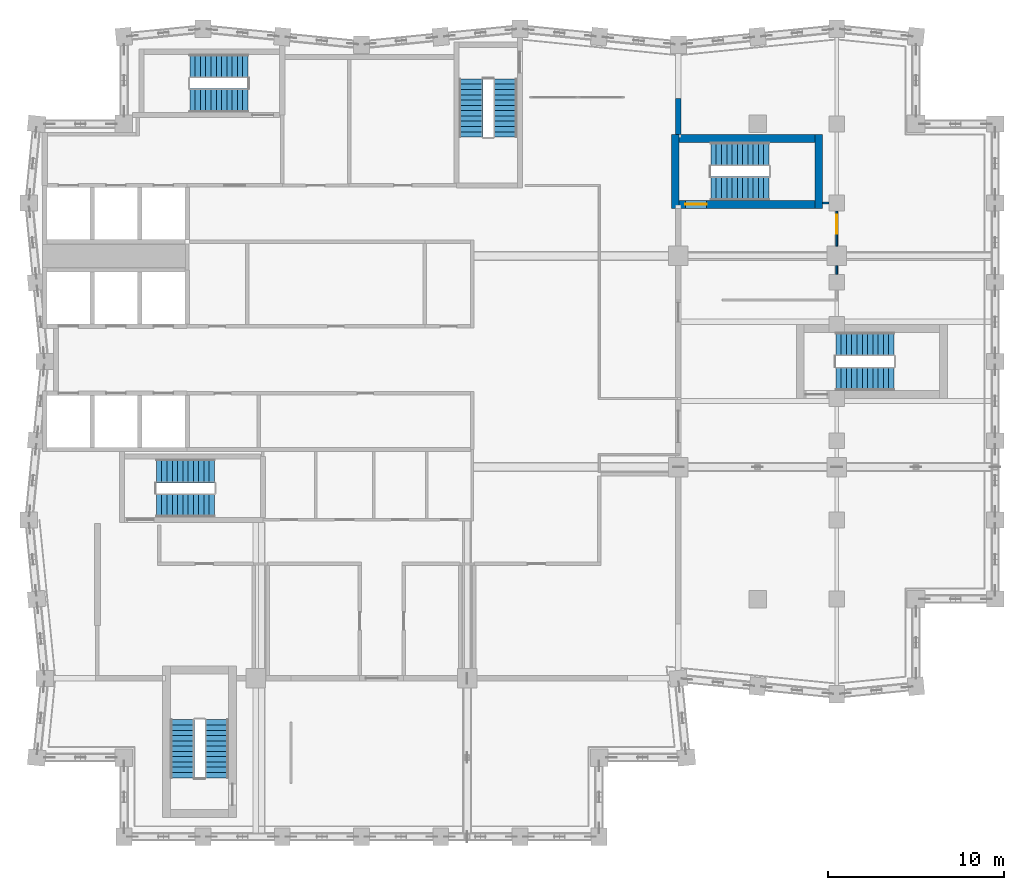
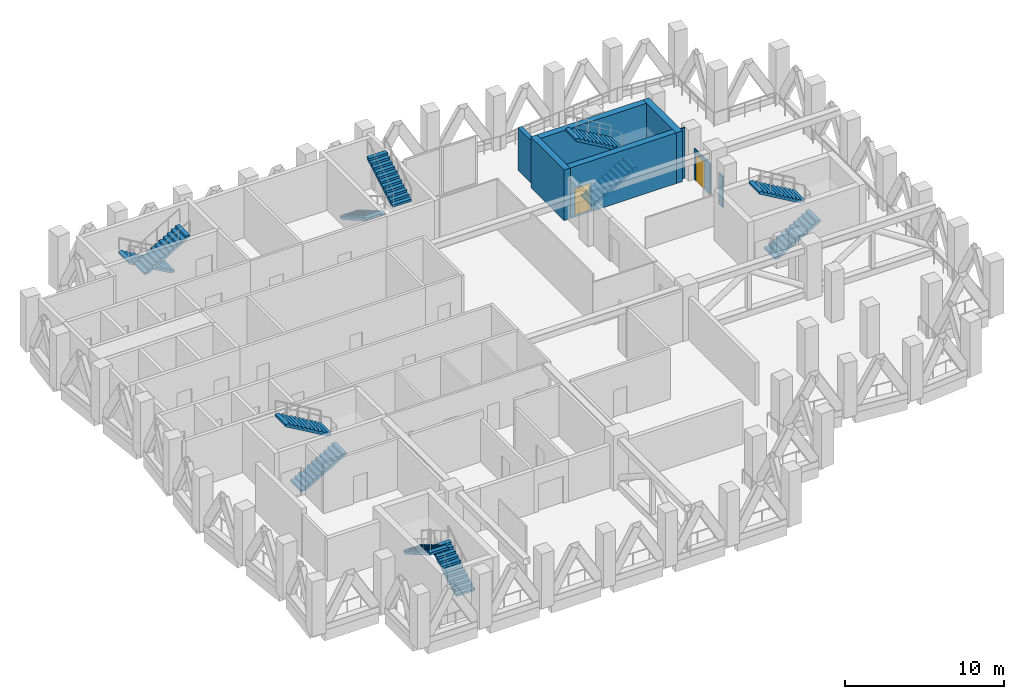
# One storey, part 11 of 18: 12 stair flights, 8 walls, 2 doors, 2 openings, 6 elements without a shape of their own.
"""IFC4 building model written with IfcOpenShell, lengths in metres."""

from ifc_helpers import new_model, si_unit, direction, frame, frame_2d, origin, place, context, subcontext, project, spatial, polyline, rectangle, outline, extrude, material, layer, layer_set, type_object, element, fill, aggregate, save


model = new_model("IFC4")

# Units and contexts
model_context = context("Model", 3, precision=1e-05, world=origin(), true_north=direction((0.0, 1.0)))
body_context = subcontext(model_context, "Body", "Model", "MODEL_VIEW")
ifc_project = project(units=[si_unit("LENGTHUNIT", "METRE"), si_unit("AREAUNIT", "SQUARE_METRE"), si_unit("VOLUMEUNIT", "CUBIC_METRE"), si_unit("PLANEANGLEUNIT", "RADIAN"), si_unit("MASSUNIT", "GRAM", prefix="KILO")], contexts=[model_context])

# Site, building, storey
site_placement = place(None, origin())
site = spatial("IfcSite", under=ifc_project, at=site_placement, CompositionType="ELEMENT")
building_placement = place(site_placement, origin())
building = spatial("IfcBuilding", under=site, at=building_placement, Name="Brondeck Convention Tower", CompositionType="ELEMENT")
storey_placement = place(building_placement, frame((0.0, 0.0, 248.199951171875)))
storey = spatial("IfcBuildingStorey", under=building, at=storey_placement, Name="L61", CompositionType="ELEMENT", Elevation=248.199951171875)

# Walls
ifc_material_1 = material(Name="Concrete compartment wall C30/37", Category="concrete")
ifc_layer_1 = layer(ifc_material_1, 0.300048828125)
ifc_layer_set_1 = layer_set([ifc_layer_1], Name="Compartment wall 300")
wall_type_1 = type_object("IfcWallType", Name="Compartment wall 300", PredefinedType="PARTITIONING", material=ifc_layer_set_1)
wall_1_placement = place(storey_placement, frame((36.0, 59.949951171875, 0.0), z_axis=(0.0, 0.0, 1.0), x_axis=(0.0, -1.0, 0.0)))
element("IfcWall", 1, at=wall_1_placement, inside=storey, type_object=wall_type_1, Name="FLR-L61-W043", PredefinedType="PARTITIONING", context=body_context, shape_type="SweptSolid", body=[
    extrude(rectangle(XDim=2.050048828125, YDim=0.300048828125, at=frame_2d((1.02490234375, 0.0))), origin(), (0.0, 0.0, 1.0), 3.280029296875),
])
ifc_material_2 = material(Name="Gypsum board partition on steel studs", Category="steel")
ifc_layer_2 = layer(ifc_material_2, 0.10009765625)
ifc_layer_set_2 = layer_set([ifc_layer_2], Name="Room partition 100")
wall_type_2 = type_object("IfcWallType", Name="Room partition 100", PredefinedType="PARTITIONING", material=ifc_layer_set_2)
wall_2_placement = place(storey_placement, frame((45.0, 50.445068359375, 0.0), z_axis=(0.0, 0.0, 1.0), x_axis=(0.0, -1.0, 0.0)))
element("IfcWall", 2, at=wall_2_placement, inside=storey, type_object=wall_type_2, Name="FLR-L61-W037", PredefinedType="PARTITIONING", context=body_context, shape_type="SweptSolid", body=[
    extrude(rectangle(XDim=0.489990234375, YDim=0.10009765625, at=frame_2d((0.2451171875, 0.0))), origin(), (0.0, 0.0, 1.0), 2.380126953125),
])

# Wall, opening, door
wall_3_placement = place(storey_placement, frame((45.0, 53.544921875, 0.0), z_axis=(0.0, 0.0, 1.0), x_axis=(0.0, -1.0, 0.0)))
wall_3 = element("IfcWall", 3, at=wall_3_placement, inside=storey, type_object=wall_type_2, Name="FLR-L61-W039", PredefinedType="PARTITIONING", context=body_context, shape_type="SweptSolid", body=[
    extrude(rectangle(XDim=1.989990234375, YDim=0.10009765625, at=frame_2d((0.9951171875, 0.0))), origin(), (0.0, 0.0, 1.0), 2.380126953125),
])
opening_1_placement = place(wall_3_placement, frame((0.195068359375, 0.0, 0.0)))
opening_1 = element("IfcOpeningElement", 4, at=opening_1_placement, cuts=wall_3, Name="Opening BD-4-001", PredefinedType="OPENING", context=body_context, shape_type="SweptSolid", body=[
    extrude(rectangle(XDim=1.10009765625, YDim=2.10009765625, at=frame_2d((0.550048828125, 1.050048828125))), frame((0.0, 0.06005859375, 0.0), z_axis=(0.0, -1.0, 0.0), x_axis=(1.0, 0.0, 0.0)), (0.0, 0.0, 1.0), 0.1201171875),
])
ifc_material_3 = material(Name="Steel fire door leaf", Category="steel")
door_type_1 = type_object("IfcDoorType", Name="Refuge door 1100", OperationType="NOTDEFINED", PredefinedType="DOOR", material=ifc_material_3)
door_1_placement = place(opening_1_placement, origin())
door_1 = element("IfcDoor", 5, at=door_1_placement, inside=storey, type_object=door_type_1, Name="Door BD-4-001", OperationType="SINGLE_SWING_LEFT", OverallHeight=2.10009765625, OverallWidth=1.10009765625, PredefinedType="DOOR", context=body_context, shape_type="SweptSolid", body=[
    extrude(rectangle(XDim=1.10009765625, YDim=2.10009765625, at=frame_2d((0.550048828125, 1.050048828125))), frame((0.0, 0.02490234375, 0.0), z_axis=(0.0, -1.0, 0.0), x_axis=(1.0, 0.0, 0.0)), (0.0, 0.0, 1.0), 0.050048828125),
])
fill(opening_1, door_1)

# Wall
wall_4_placement = place(storey_placement, frame((44.199951171875, 54.0, 0.0), z_axis=(0.0, 0.0, 1.0), x_axis=(1.0, 0.0, 0.0)))
element("IfcWall", 6, at=wall_4_placement, inside=storey, type_object=wall_type_2, Name="FLR-L61-W040", PredefinedType="PARTITIONING", context=body_context, shape_type="SweptSolid", body=[
    extrude(rectangle(XDim=0.344970703125, YDim=0.10009765625, at=frame_2d((0.17236328125, 0.0))), origin(), (0.0, 0.0, 1.0), 3.880126953125),
])

# Wall, opening, door
ifc_material_4 = material(Name="Concrete C50/60", Category="concrete")
ifc_layer_3 = layer(ifc_material_4, 0.449951171875)
ifc_layer_set_3 = layer_set([ifc_layer_3], Name="Stair enclosure bearing wall 450 Concrete C50/60")
wall_type_3 = type_object("IfcWallType", Name="Stair enclosure bearing wall 450 Concrete C50/60", PredefinedType="SHEAR", material=ifc_layer_set_3)
wall_5_placement = place(storey_placement, frame((36.050048828125, 53.925048828125, 0.0), z_axis=(0.0, 0.0, 1.0), x_axis=(1.0, 0.0, 0.0)))
wall_5 = element("IfcWall", 7, at=wall_5_placement, inside=storey, type_object=wall_type_3, Name="L61 core wall", PredefinedType="SHEAR", context=body_context, shape_type="SweptSolid", body=[
    extrude(rectangle(XDim=7.699951171875, YDim=0.449951171875, at=frame_2d((3.85009765625, 0.0))), origin(), (0.0, 0.0, 1.0), 3.900146484375),
])
opening_2_placement = place(wall_5_placement, frame((0.35009765625, 0.0, 0.0)))
opening_2 = element("IfcOpeningElement", 8, at=opening_2_placement, cuts=wall_5, Name="Opening C33-16", PredefinedType="OPENING", context=body_context, shape_type="SweptSolid", body=[
    extrude(rectangle(XDim=1.199951171875, YDim=2.199951171875, at=frame_2d((0.60009765625, 1.10009765625))), frame((0.0, 0.23486328125, 0.0), z_axis=(0.0, -1.0, 0.0), x_axis=(1.0, 0.0, 0.0)), (0.0, 0.0, 1.0), 0.469970703125),
])
ifc_material_5 = material(Name="Steel fire door", Category="steel")
door_type_2 = type_object("IfcDoorType", Name="Stair door 1200x2200 EI 90", OperationType="NOTDEFINED", PredefinedType="DOOR", material=ifc_material_5)
door_2_placement = place(opening_2_placement, origin())
door_2 = element("IfcDoor", 9, at=door_2_placement, inside=storey, type_object=door_type_2, Name="L61 Stair door ST-AE", OperationType="SINGLE_SWING_LEFT", OverallHeight=2.199951171875, OverallWidth=1.199951171875, PredefinedType="DOOR", context=body_context, shape_type="SweptSolid", body=[
    extrude(rectangle(XDim=1.199951171875, YDim=2.199951171875, at=frame_2d((0.60009765625, 1.10009765625))), frame((0.0, 0.02490234375, 0.0), z_axis=(0.0, -1.0, 0.0), x_axis=(1.0, 0.0, 0.0)), (0.0, 0.0, 1.0), 0.050048828125),
])
fill(opening_2, door_2)

# Walls
wall_6_placement = place(storey_placement, frame((36.050048828125, 57.675048828125, 0.0), z_axis=(0.0, 0.0, 1.0), x_axis=(1.0, 0.0, 0.0)))
element("IfcWall", 10, at=wall_6_placement, inside=storey, type_object=wall_type_3, Name="L61 core wall", PredefinedType="SHEAR", context=body_context, shape_type="SweptSolid", body=[
    extrude(rectangle(XDim=7.699951171875, YDim=0.449951171875, at=frame_2d((3.85009765625, 0.0))), origin(), (0.0, 0.0, 1.0), 3.900146484375),
])
for number, where, z_axis, x_axis, name in (
    (11, (35.824951171875, 53.699951171875, 0.0), (0.0, 0.0, 1.0), (0.0, 1.0, 0.0), "L61 core wall"),
    (12, (43.97509765625, 53.699951171875, 0.0), (0.0, 0.0, 1.0), (0.0, 1.0, 0.0), "L61 core wall"),
):
    element("IfcWall", number, at=place(storey_placement, frame(where, z_axis=z_axis, x_axis=x_axis)), inside=storey, type_object=wall_type_3, Name=name, PredefinedType="SHEAR", context=body_context, shape_type="SweptSolid", body=[
        extrude(rectangle(XDim=4.199951171875, YDim=0.449951171875, at=frame_2d((2.10009765625, 0.0))), origin(), (0.0, 0.0, 1.0), 3.900146484375),
    ])

# Stair, stair flights
ifc_material_6 = material(Name="Precast concrete C50/60", Category="concrete")
stair_type = type_object("IfcStairType", Name="Core stair 24 risers 175.00 mm riser 300 mm going 1350 wide", PredefinedType="HALF_TURN_STAIR", material=ifc_material_6)
stair_1_placement = place(storey_placement, origin())
stair_1 = element("IfcStair", 13, at=stair_1_placement, inside=storey, type_object=stair_type, Name="ST-1 L61 stair", PredefinedType="HALF_TURN_STAIR")
stair_flight_type = type_object("IfcStairFlightType", Name="Core stair flight 24 risers 175.00 mm riser 300 mm going 1350 wide", PredefinedType="STRAIGHT", material=ifc_material_6)
stair_flight_1_placement = place(storey_placement, frame((6.35009765625, 36.824951171875, 0.0), z_axis=(0.0, 0.0, 1.0), x_axis=(1.0, 0.0, 0.0)))
stair_flight_1 = element("IfcStairFlight", 14, at=stair_flight_1_placement, type_object=stair_flight_type, Name="ST-1 flight 1", NumberOfRisers=12, NumberOfTreads=11, PredefinedType="STRAIGHT", RiserHeight=0.175, TreadLength=0.3, context=body_context, shape_type="SweptSolid", body=[
    extrude(outline(polyline([(0.0, 0.0), (0.0, 0.175048828125), (0.300048828125, 0.175048828125), (0.300048828125, 0.35009765625), (0.60009765625, 0.35009765625), (0.60009765625, 0.52490234375), (0.89990234375, 0.52490234375), (0.89990234375, 0.699951171875), (1.199951171875, 0.699951171875), (1.199951171875, 0.875), (1.5, 0.875), (1.5, 1.050048828125), (1.800048828125, 1.050048828125), (1.800048828125, 1.22509765625), (2.10009765625, 1.22509765625), (2.10009765625, 1.39990234375), (2.39990234375, 1.39990234375), (2.39990234375, 1.574951171875), (2.699951171875, 1.574951171875), (2.699951171875, 1.75), (3.0, 1.75), (3.0, 1.925048828125), (3.300048828125, 1.925048828125), (3.300048828125, 2.10009765625), (3.300048828125, 1.75146484375), (0.297607421875, 0.0), (0.0, 0.0)])), frame((0.0, 0.675048828125, 0.0), z_axis=(0.0, -1.0, 0.0), x_axis=(1.0, 0.0, 0.0)), (0.0, 0.0, 1.0), 1.35009765625),
])
stair_flight_2_placement = place(storey_placement, frame((9.64990234375, 38.77490234375, 2.10009765625), z_axis=(0.0, 0.0, 1.0), x_axis=(-1.0, 0.0, 0.0)))
stair_flight_2 = element("IfcStairFlight", 15, at=stair_flight_2_placement, type_object=stair_flight_type, Name="ST-1 flight 2", NumberOfRisers=12, NumberOfTreads=11, PredefinedType="STRAIGHT", RiserHeight=0.175, TreadLength=0.3, context=body_context, shape_type="SweptSolid", body=[
    extrude(outline(polyline([(0.0, 0.0), (0.0, 0.175048828125), (0.300048828125, 0.175048828125), (0.300048828125, 0.35009765625), (0.60009765625, 0.35009765625), (0.60009765625, 0.52490234375), (0.89990234375, 0.52490234375), (0.89990234375, 0.699951171875), (1.199951171875, 0.699951171875), (1.199951171875, 0.875), (1.5, 0.875), (1.5, 1.050048828125), (1.800048828125, 1.050048828125), (1.800048828125, 1.22509765625), (2.10009765625, 1.22509765625), (2.10009765625, 1.39990234375), (2.39990234375, 1.39990234375), (2.39990234375, 1.574951171875), (2.699951171875, 1.574951171875), (2.699951171875, 1.75), (3.0, 1.75), (3.0, 1.925048828125), (3.300048828125, 1.925048828125), (3.300048828125, 2.10009765625), (3.300048828125, 1.75146484375), (0.297607421875, 0.0), (0.0, 0.0)])), frame((0.0, 0.675048828125, 0.0), z_axis=(0.0, -1.0, 0.0), x_axis=(1.0, 0.0, 0.0)), (0.0, 0.0, 1.0), 1.35009765625),
])
aggregate(stair_1, [stair_flight_1, stair_flight_2])

stair_2_placement = place(storey_placement, origin())
stair_2 = element("IfcStair", 16, at=stair_2_placement, inside=storey, type_object=stair_type, Name="ST-2 L61 stair", PredefinedType="HALF_TURN_STAIR")
stair_flight_3_placement = place(storey_placement, frame((24.22509765625, 61.050048828125, 0.0), z_axis=(0.0, 0.0, 1.0), x_axis=(0.0, -1.0, 0.0)))
stair_flight_3 = element("IfcStairFlight", 17, at=stair_flight_3_placement, type_object=stair_flight_type, Name="ST-2 flight 1", NumberOfRisers=12, NumberOfTreads=11, PredefinedType="STRAIGHT", RiserHeight=0.175, TreadLength=0.3, context=body_context, shape_type="SweptSolid", body=[
    extrude(outline(polyline([(0.0, 0.0), (0.0, 0.175048828125), (0.300048828125, 0.175048828125), (0.300048828125, 0.35009765625), (0.60009765625, 0.35009765625), (0.60009765625, 0.52490234375), (0.89990234375, 0.52490234375), (0.89990234375, 0.699951171875), (1.199951171875, 0.699951171875), (1.199951171875, 0.875), (1.5, 0.875), (1.5, 1.050048828125), (1.800048828125, 1.050048828125), (1.800048828125, 1.22509765625), (2.10009765625, 1.22509765625), (2.10009765625, 1.39990234375), (2.39990234375, 1.39990234375), (2.39990234375, 1.574951171875), (2.699951171875, 1.574951171875), (2.699951171875, 1.75), (3.0, 1.75), (3.0, 1.925048828125), (3.300048828125, 1.925048828125), (3.300048828125, 2.10009765625), (3.300048828125, 1.75146484375), (0.297607421875, 0.0), (0.0, 0.0)])), frame((0.0, 0.675048828125, 0.0), z_axis=(0.0, -1.0, 0.0), x_axis=(1.0, 0.0, 0.0)), (0.0, 0.0, 1.0), 1.35009765625),
])
stair_flight_4_placement = place(storey_placement, frame((26.175048828125, 57.75, 2.10009765625), z_axis=(0.0, 0.0, 1.0), x_axis=(0.0, 1.0, 0.0)))
stair_flight_4 = element("IfcStairFlight", 18, at=stair_flight_4_placement, type_object=stair_flight_type, Name="ST-2 flight 2", NumberOfRisers=12, NumberOfTreads=11, PredefinedType="STRAIGHT", RiserHeight=0.175, TreadLength=0.3, context=body_context, shape_type="SweptSolid", body=[
    extrude(outline(polyline([(0.0, 0.0), (0.0, 0.175048828125), (0.300048828125, 0.175048828125), (0.300048828125, 0.35009765625), (0.60009765625, 0.35009765625), (0.60009765625, 0.52490234375), (0.89990234375, 0.52490234375), (0.89990234375, 0.699951171875), (1.199951171875, 0.699951171875), (1.199951171875, 0.875), (1.5, 0.875), (1.5, 1.050048828125), (1.800048828125, 1.050048828125), (1.800048828125, 1.22509765625), (2.10009765625, 1.22509765625), (2.10009765625, 1.39990234375), (2.39990234375, 1.39990234375), (2.39990234375, 1.574951171875), (2.699951171875, 1.574951171875), (2.699951171875, 1.75), (3.0, 1.75), (3.0, 1.925048828125), (3.300048828125, 1.925048828125), (3.300048828125, 2.10009765625), (3.300048828125, 1.75146484375), (0.297607421875, 0.0), (0.0, 0.0)])), frame((0.0, 0.675048828125, 0.0), z_axis=(0.0, -1.0, 0.0), x_axis=(1.0, 0.0, 0.0)), (0.0, 0.0, 1.0), 1.35009765625),
])
aggregate(stair_2, [stair_flight_3, stair_flight_4])

stair_3_placement = place(storey_placement, origin())
stair_3 = element("IfcStair", 19, at=stair_3_placement, inside=storey, type_object=stair_type, Name="ST-3 L61 stair", PredefinedType="HALF_TURN_STAIR")
stair_flight_5_placement = place(storey_placement, frame((11.550048828125, 61.77490234375, 0.0), z_axis=(0.0, 0.0, 1.0), x_axis=(-1.0, 0.0, 0.0)))
stair_flight_5 = element("IfcStairFlight", 20, at=stair_flight_5_placement, type_object=stair_flight_type, Name="ST-3 flight 1", NumberOfRisers=12, NumberOfTreads=11, PredefinedType="STRAIGHT", RiserHeight=0.175, TreadLength=0.3, context=body_context, shape_type="SweptSolid", body=[
    extrude(outline(polyline([(0.0, 0.0), (0.0, 0.175048828125), (0.300048828125, 0.175048828125), (0.300048828125, 0.35009765625), (0.60009765625, 0.35009765625), (0.60009765625, 0.52490234375), (0.89990234375, 0.52490234375), (0.89990234375, 0.699951171875), (1.199951171875, 0.699951171875), (1.199951171875, 0.875), (1.5, 0.875), (1.5, 1.050048828125), (1.800048828125, 1.050048828125), (1.800048828125, 1.22509765625), (2.10009765625, 1.22509765625), (2.10009765625, 1.39990234375), (2.39990234375, 1.39990234375), (2.39990234375, 1.574951171875), (2.699951171875, 1.574951171875), (2.699951171875, 1.75), (3.0, 1.75), (3.0, 1.925048828125), (3.300048828125, 1.925048828125), (3.300048828125, 2.10009765625), (3.300048828125, 1.75146484375), (0.297607421875, 0.0), (0.0, 0.0)])), frame((0.0, 0.675048828125, 0.0), z_axis=(0.0, -1.0, 0.0), x_axis=(1.0, 0.0, 0.0)), (0.0, 0.0, 1.0), 1.35009765625),
])
stair_flight_6_placement = place(storey_placement, frame((8.25, 59.824951171875, 2.10009765625), z_axis=(0.0, 0.0, 1.0), x_axis=(1.0, 0.0, 0.0)))
stair_flight_6 = element("IfcStairFlight", 21, at=stair_flight_6_placement, type_object=stair_flight_type, Name="ST-3 flight 2", NumberOfRisers=12, NumberOfTreads=11, PredefinedType="STRAIGHT", RiserHeight=0.175, TreadLength=0.3, context=body_context, shape_type="SweptSolid", body=[
    extrude(outline(polyline([(0.0, 0.0), (0.0, 0.175048828125), (0.300048828125, 0.175048828125), (0.300048828125, 0.35009765625), (0.60009765625, 0.35009765625), (0.60009765625, 0.52490234375), (0.89990234375, 0.52490234375), (0.89990234375, 0.699951171875), (1.199951171875, 0.699951171875), (1.199951171875, 0.875), (1.5, 0.875), (1.5, 1.050048828125), (1.800048828125, 1.050048828125), (1.800048828125, 1.22509765625), (2.10009765625, 1.22509765625), (2.10009765625, 1.39990234375), (2.39990234375, 1.39990234375), (2.39990234375, 1.574951171875), (2.699951171875, 1.574951171875), (2.699951171875, 1.75), (3.0, 1.75), (3.0, 1.925048828125), (3.300048828125, 1.925048828125), (3.300048828125, 2.10009765625), (3.300048828125, 1.75146484375), (0.297607421875, 0.0), (0.0, 0.0)])), frame((0.0, 0.675048828125, 0.0), z_axis=(0.0, -1.0, 0.0), x_axis=(1.0, 0.0, 0.0)), (0.0, 0.0, 1.0), 1.35009765625),
])
aggregate(stair_3, [stair_flight_5, stair_flight_6])

stair_4_placement = place(storey_placement, origin())
stair_4 = element("IfcStair", 22, at=stair_4_placement, inside=storey, type_object=stair_type, Name="ST-AE L61 stair", PredefinedType="HALF_TURN_STAIR")
stair_flight_7_placement = place(storey_placement, frame((37.85009765625, 54.824951171875, 0.0), z_axis=(0.0, 0.0, 1.0), x_axis=(1.0, 0.0, 0.0)))
stair_flight_7 = element("IfcStairFlight", 23, at=stair_flight_7_placement, type_object=stair_flight_type, Name="ST-AE flight 1", NumberOfRisers=12, NumberOfTreads=11, PredefinedType="STRAIGHT", RiserHeight=0.175, TreadLength=0.3, context=body_context, shape_type="SweptSolid", body=[
    extrude(outline(polyline([(0.0, 0.0), (0.0, 0.175048828125), (0.300048828125, 0.175048828125), (0.300048828125, 0.35009765625), (0.60009765625, 0.35009765625), (0.60009765625, 0.52490234375), (0.89990234375, 0.52490234375), (0.89990234375, 0.699951171875), (1.199951171875, 0.699951171875), (1.199951171875, 0.875), (1.5, 0.875), (1.5, 1.050048828125), (1.800048828125, 1.050048828125), (1.800048828125, 1.22509765625), (2.10009765625, 1.22509765625), (2.10009765625, 1.39990234375), (2.39990234375, 1.39990234375), (2.39990234375, 1.574951171875), (2.699951171875, 1.574951171875), (2.699951171875, 1.75), (3.0, 1.75), (3.0, 1.925048828125), (3.300048828125, 1.925048828125), (3.300048828125, 2.10009765625), (3.300048828125, 1.75146484375), (0.297607421875, 0.0), (0.0, 0.0)])), frame((0.0, 0.675048828125, 0.0), z_axis=(0.0, -1.0, 0.0), x_axis=(1.0, 0.0, 0.0)), (0.0, 0.0, 1.0), 1.35009765625),
])
stair_flight_8_placement = place(storey_placement, frame((41.14990234375, 56.77490234375, 2.10009765625), z_axis=(0.0, 0.0, 1.0), x_axis=(-1.0, 0.0, 0.0)))
stair_flight_8 = element("IfcStairFlight", 24, at=stair_flight_8_placement, type_object=stair_flight_type, Name="ST-AE flight 2", NumberOfRisers=12, NumberOfTreads=11, PredefinedType="STRAIGHT", RiserHeight=0.175, TreadLength=0.3, context=body_context, shape_type="SweptSolid", body=[
    extrude(outline(polyline([(0.0, 0.0), (0.0, 0.175048828125), (0.300048828125, 0.175048828125), (0.300048828125, 0.35009765625), (0.60009765625, 0.35009765625), (0.60009765625, 0.52490234375), (0.89990234375, 0.52490234375), (0.89990234375, 0.699951171875), (1.199951171875, 0.699951171875), (1.199951171875, 0.875), (1.5, 0.875), (1.5, 1.050048828125), (1.800048828125, 1.050048828125), (1.800048828125, 1.22509765625), (2.10009765625, 1.22509765625), (2.10009765625, 1.39990234375), (2.39990234375, 1.39990234375), (2.39990234375, 1.574951171875), (2.699951171875, 1.574951171875), (2.699951171875, 1.75), (3.0, 1.75), (3.0, 1.925048828125), (3.300048828125, 1.925048828125), (3.300048828125, 2.10009765625), (3.300048828125, 1.75146484375), (0.297607421875, 0.0), (0.0, 0.0)])), frame((0.0, 0.675048828125, 0.0), z_axis=(0.0, -1.0, 0.0), x_axis=(1.0, 0.0, 0.0)), (0.0, 0.0, 1.0), 1.35009765625),
])
aggregate(stair_4, [stair_flight_7, stair_flight_8])

stair_5_placement = place(storey_placement, origin())
stair_5 = element("IfcStair", 25, at=stair_5_placement, inside=storey, type_object=stair_type, Name="ST-BE L61 stair", PredefinedType="HALF_TURN_STAIR")
stair_flight_9_placement = place(storey_placement, frame((9.77490234375, 21.35009765625, 0.0), z_axis=(0.0, 0.0, 1.0), x_axis=(0.0, 1.0, 0.0)))
stair_flight_9 = element("IfcStairFlight", 26, at=stair_flight_9_placement, type_object=stair_flight_type, Name="ST-BE flight 1", NumberOfRisers=12, NumberOfTreads=11, PredefinedType="STRAIGHT", RiserHeight=0.175, TreadLength=0.3, context=body_context, shape_type="SweptSolid", body=[
    extrude(outline(polyline([(0.0, 0.0), (0.0, 0.175048828125), (0.300048828125, 0.175048828125), (0.300048828125, 0.35009765625), (0.60009765625, 0.35009765625), (0.60009765625, 0.52490234375), (0.89990234375, 0.52490234375), (0.89990234375, 0.699951171875), (1.199951171875, 0.699951171875), (1.199951171875, 0.875), (1.5, 0.875), (1.5, 1.050048828125), (1.800048828125, 1.050048828125), (1.800048828125, 1.22509765625), (2.10009765625, 1.22509765625), (2.10009765625, 1.39990234375), (2.39990234375, 1.39990234375), (2.39990234375, 1.574951171875), (2.699951171875, 1.574951171875), (2.699951171875, 1.75), (3.0, 1.75), (3.0, 1.925048828125), (3.300048828125, 1.925048828125), (3.300048828125, 2.10009765625), (3.300048828125, 1.75146484375), (0.297607421875, 0.0), (0.0, 0.0)])), frame((0.0, 0.675048828125, 0.0), z_axis=(0.0, -1.0, 0.0), x_axis=(1.0, 0.0, 0.0)), (0.0, 0.0, 1.0), 1.35009765625),
])
stair_flight_10_placement = place(storey_placement, frame((7.824951171875, 24.64990234375, 2.10009765625), z_axis=(0.0, 0.0, 1.0), x_axis=(0.0, -1.0, 0.0)))
stair_flight_10 = element("IfcStairFlight", 27, at=stair_flight_10_placement, type_object=stair_flight_type, Name="ST-BE flight 2", NumberOfRisers=12, NumberOfTreads=11, PredefinedType="STRAIGHT", RiserHeight=0.175, TreadLength=0.3, context=body_context, shape_type="SweptSolid", body=[
    extrude(outline(polyline([(0.0, 0.0), (0.0, 0.175048828125), (0.300048828125, 0.175048828125), (0.300048828125, 0.35009765625), (0.60009765625, 0.35009765625), (0.60009765625, 0.52490234375), (0.89990234375, 0.52490234375), (0.89990234375, 0.699951171875), (1.199951171875, 0.699951171875), (1.199951171875, 0.875), (1.5, 0.875), (1.5, 1.050048828125), (1.800048828125, 1.050048828125), (1.800048828125, 1.22509765625), (2.10009765625, 1.22509765625), (2.10009765625, 1.39990234375), (2.39990234375, 1.39990234375), (2.39990234375, 1.574951171875), (2.699951171875, 1.574951171875), (2.699951171875, 1.75), (3.0, 1.75), (3.0, 1.925048828125), (3.300048828125, 1.925048828125), (3.300048828125, 2.10009765625), (3.300048828125, 1.75146484375), (0.297607421875, 0.0), (0.0, 0.0)])), frame((0.0, 0.675048828125, 0.0), z_axis=(0.0, -1.0, 0.0), x_axis=(1.0, 0.0, 0.0)), (0.0, 0.0, 1.0), 1.35009765625),
])
aggregate(stair_5, [stair_flight_9, stair_flight_10])

stair_6_placement = place(storey_placement, origin())
stair_6 = element("IfcStair", 28, at=stair_6_placement, inside=storey, type_object=stair_type, Name="ST-AF L61 stair", PredefinedType="HALF_TURN_STAIR")
stair_flight_11_placement = place(storey_placement, frame((44.949951171875, 44.02490234375, 0.0), z_axis=(0.0, 0.0, 1.0), x_axis=(1.0, 0.0, 0.0)))
stair_flight_11 = element("IfcStairFlight", 29, at=stair_flight_11_placement, type_object=stair_flight_type, Name="ST-AF flight 1", NumberOfRisers=12, NumberOfTreads=11, PredefinedType="STRAIGHT", RiserHeight=0.175, TreadLength=0.3, context=body_context, shape_type="SweptSolid", body=[
    extrude(outline(polyline([(0.0, 0.0), (0.0, 0.175048828125), (0.300048828125, 0.175048828125), (0.300048828125, 0.35009765625), (0.60009765625, 0.35009765625), (0.60009765625, 0.52490234375), (0.89990234375, 0.52490234375), (0.89990234375, 0.699951171875), (1.199951171875, 0.699951171875), (1.199951171875, 0.875), (1.5, 0.875), (1.5, 1.050048828125), (1.800048828125, 1.050048828125), (1.800048828125, 1.22509765625), (2.10009765625, 1.22509765625), (2.10009765625, 1.39990234375), (2.39990234375, 1.39990234375), (2.39990234375, 1.574951171875), (2.699951171875, 1.574951171875), (2.699951171875, 1.75), (3.0, 1.75), (3.0, 1.925048828125), (3.300048828125, 1.925048828125), (3.300048828125, 2.10009765625), (3.300048828125, 1.75146484375), (0.297607421875, 0.0), (0.0, 0.0)])), frame((0.0, 0.675048828125, 0.0), z_axis=(0.0, -1.0, 0.0), x_axis=(1.0, 0.0, 0.0)), (0.0, 0.0, 1.0), 1.35009765625),
])
stair_flight_12_placement = place(storey_placement, frame((48.25, 45.97509765625, 2.10009765625), z_axis=(0.0, 0.0, 1.0), x_axis=(-1.0, 0.0, 0.0)))
stair_flight_12 = element("IfcStairFlight", 30, at=stair_flight_12_placement, type_object=stair_flight_type, Name="ST-AF flight 2", NumberOfRisers=12, NumberOfTreads=11, PredefinedType="STRAIGHT", RiserHeight=0.175, TreadLength=0.3, context=body_context, shape_type="SweptSolid", body=[
    extrude(outline(polyline([(0.0, 0.0), (0.0, 0.175048828125), (0.300048828125, 0.175048828125), (0.300048828125, 0.35009765625), (0.60009765625, 0.35009765625), (0.60009765625, 0.52490234375), (0.89990234375, 0.52490234375), (0.89990234375, 0.699951171875), (1.199951171875, 0.699951171875), (1.199951171875, 0.875), (1.5, 0.875), (1.5, 1.050048828125), (1.800048828125, 1.050048828125), (1.800048828125, 1.22509765625), (2.10009765625, 1.22509765625), (2.10009765625, 1.39990234375), (2.39990234375, 1.39990234375), (2.39990234375, 1.574951171875), (2.699951171875, 1.574951171875), (2.699951171875, 1.75), (3.0, 1.75), (3.0, 1.925048828125), (3.300048828125, 1.925048828125), (3.300048828125, 2.10009765625), (3.300048828125, 1.75146484375), (0.297607421875, 0.0), (0.0, 0.0)])), frame((0.0, 0.675048828125, 0.0), z_axis=(0.0, -1.0, 0.0), x_axis=(1.0, 0.0, 0.0)), (0.0, 0.0, 1.0), 1.35009765625),
])
aggregate(stair_6, [stair_flight_11, stair_flight_12])

save(model, "model.ifc")
